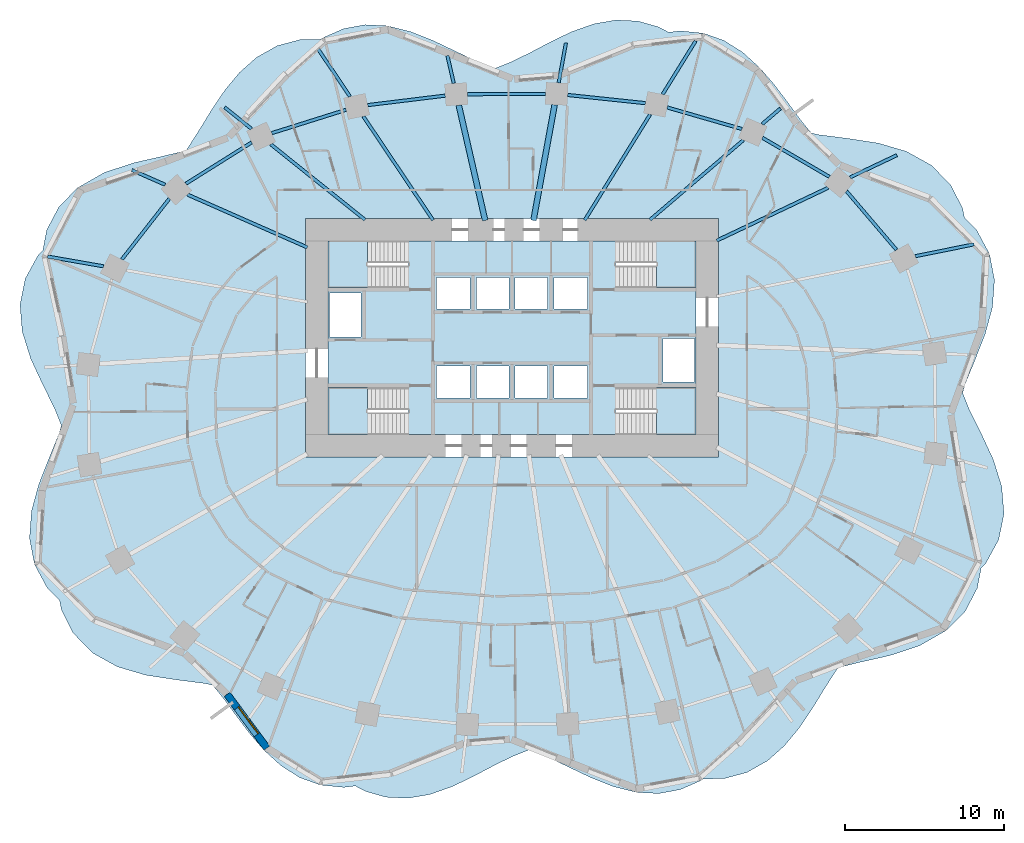
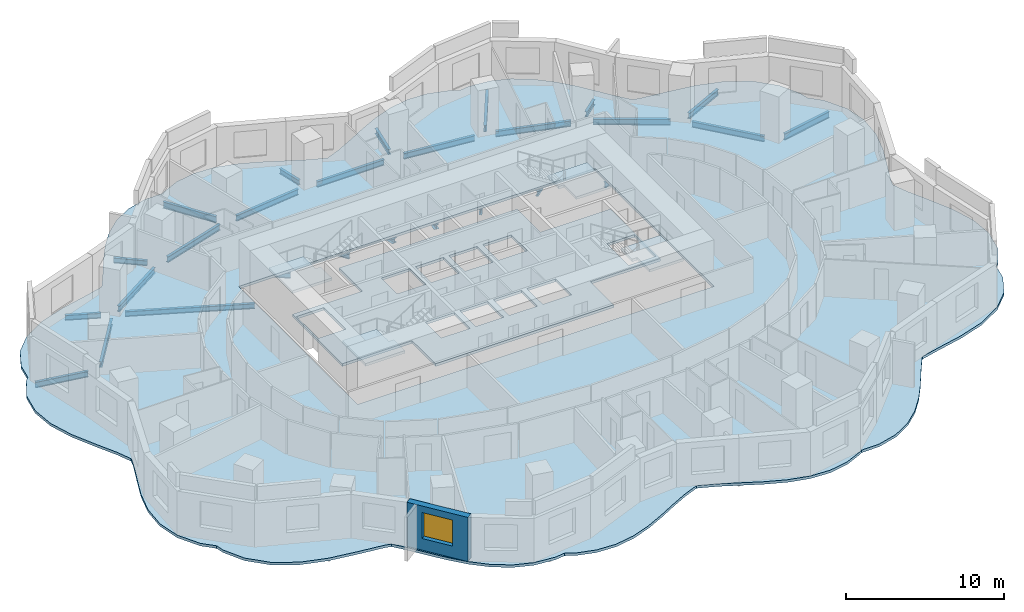
# One storey, part 2 of 11: 27 beams, 6 slabs, 1 wall, 1 window, 1 opening, 4 elements without a shape of their own.
"""IFC4 building model written with IfcOpenShell, lengths in metres."""

from ifc_helpers import new_model, si_unit, direction, frame, frame_2d, origin, origin_2d, place, context, subcontext, project, spatial, polyline, rectangle, i_section, outline, extrude, material, layer, layer_set, material_profile, profile_set, type_object, element, fill, aggregate, save


model = new_model("IFC4")

# Units and contexts
model_context = context("Model", 3, precision=1e-05, world=origin(), true_north=direction((0.0, 1.0)))
body_context = subcontext(model_context, "Body", "Model", "MODEL_VIEW")
ifc_project = project(units=[si_unit("LENGTHUNIT", "METRE"), si_unit("AREAUNIT", "SQUARE_METRE"), si_unit("VOLUMEUNIT", "CUBIC_METRE"), si_unit("PLANEANGLEUNIT", "RADIAN"), si_unit("MASSUNIT", "GRAM", prefix="KILO")], contexts=[model_context])

# Site, building, storey
site_placement = place(None, origin())
site = spatial("IfcSite", under=ifc_project, at=site_placement, CompositionType="ELEMENT")
building_placement = place(site_placement, origin())
building = spatial("IfcBuilding", under=site, at=building_placement, Name="Rubra Terraces Tower", CompositionType="ELEMENT")
storey_placement = place(building_placement, frame((0.0, 0.0, 69.89990234375)))
storey = spatial("IfcBuildingStorey", under=building, at=storey_placement, Name="L15", CompositionType="ELEMENT", Elevation=69.89990234375)

# Beams
ifc_material_1 = material(Name="Steel Q355B", Category="steel")
ifc_material_profile_1 = material_profile(ifc_material_1, i_section(OverallWidth=0.199951171875, OverallDepth=0.39990234375, WebThickness=0.008056640625, FlangeThickness=0.012939453125, at=origin_2d()), Name="HN 400x200x8x13")
ifc_profile_set_1 = profile_set([ifc_material_profile_1], Name="Steel Q355B")
beam_type_1 = type_object("IfcBeamType", Name="CANTILEVER BEAM HN 400x200x8x13", PredefinedType="BEAM", material=ifc_profile_set_1)
beam_1_placement = place(storey_placement, frame((15.7509765625, 17.947998046875, -0.39990234375), z_axis=(0.760484850261, 0.649355674899, 0.0), x_axis=(-0.649355674899, 0.760484850261, 0.0)))
element("IfcBeam", 1, at=beam_1_placement, inside=storey, type_object=beam_type_1, Name="beam-L15-cant-04", PredefinedType="BEAM", context=body_context, shape_type="SweptSolid", body=[
    extrude(i_section(OverallWidth=0.199951171875, OverallDepth=0.39990234375, WebThickness=0.008056640625, FlangeThickness=0.012939453125, at=origin_2d()), origin(), (0.0, 0.0, 1.0), 1.513671875),
])
beam_2_placement = place(storey_placement, frame((2.93798828125, 20.549072265625, -0.39990234375), z_axis=(0.180303125533, 0.983611093331, 0.0), x_axis=(-0.983611093331, 0.180303125533, 0.0)))
element("IfcBeam", 2, at=beam_2_placement, inside=storey, type_object=beam_type_1, Name="beam-L15-cant-06", PredefinedType="BEAM", context=body_context, shape_type="SweptSolid", body=[
    extrude(i_section(OverallWidth=0.199951171875, OverallDepth=0.39990234375, WebThickness=0.008056640625, FlangeThickness=0.012939453125, at=origin_2d()), origin(), (0.0, 0.0, 1.0), 2.545654296875),
])
beam_3_placement = place(storey_placement, frame((-3.6669921875, 20.514892578125, -0.39990234375), z_axis=(-0.223203108367, 0.974771959186, 0.0), x_axis=(-0.974771959186, -0.223203108367, 0.0)))
element("IfcBeam", 3, at=beam_3_placement, inside=storey, type_object=beam_type_1, Name="beam-L15-cant-07", PredefinedType="BEAM", context=body_context, shape_type="SweptSolid", body=[
    extrude(i_section(OverallWidth=0.199951171875, OverallDepth=0.39990234375, WebThickness=0.008056640625, FlangeThickness=0.012939453125, at=origin_2d()), origin(), (0.0, 0.0, 1.0), 1.787353515625),
])
beam_4_placement = place(storey_placement, frame((-16.408935546875, 17.654052734375, -0.39990234375), z_axis=(-0.780327416177, 0.625371188625, 0.0), x_axis=(-0.625371188625, -0.780327416177, 0.0)))
element("IfcBeam", 4, at=beam_4_placement, inside=storey, type_object=beam_type_1, Name="beam-L15-cant-09", PredefinedType="BEAM", context=body_context, shape_type="SweptSolid", body=[
    extrude(i_section(OverallWidth=0.199951171875, OverallDepth=0.39990234375, WebThickness=0.008056640625, FlangeThickness=0.012939453125, at=origin_2d()), origin(), (0.0, 0.0, 1.0), 2.156982421875),
])
beam_5_placement = place(storey_placement, frame((-21.8369140625, 14.1259765625, -0.39990234375), z_axis=(-0.914895766245, 0.403690149629, 0.0), x_axis=(-0.403690149629, -0.914895766245, 0.0)))
element("IfcBeam", 5, at=beam_5_placement, inside=storey, type_object=beam_type_1, Name="beam-L15-cant-10", PredefinedType="BEAM", context=body_context, shape_type="SweptSolid", body=[
    extrude(i_section(OverallWidth=0.199951171875, OverallDepth=0.39990234375, WebThickness=0.008056640625, FlangeThickness=0.012939453125, at=origin_2d()), origin(), (0.0, 0.0, 1.0), 2.28662109375),
])
ifc_material_profile_2 = material_profile(ifc_material_1, i_section(OverallWidth=0.198974609375, OverallDepth=0.446044921875, WebThickness=0.008056640625, FlangeThickness=0.011962890625, at=origin_2d()), Name="HN 446x199x8x12")
ifc_profile_set_2 = profile_set([ifc_material_profile_2], Name="Steel Q355B")
beam_type_2 = type_object("IfcBeamType", Name="CANTILEVER BEAM HN 446x199x8x12", PredefinedType="BEAM", material=ifc_profile_set_2)
beam_6_placement = place(storey_placement, frame((21.2958984375, 14.595947265625, -0.4228515625), z_axis=(0.903635481557, 0.428302365708, 0.0), x_axis=(-0.428302365708, 0.903635481557, 0.0)))
element("IfcBeam", 6, at=beam_6_placement, inside=storey, type_object=beam_type_2, Name="beam-L15-cant-03", PredefinedType="BEAM", context=body_context, shape_type="SweptSolid", body=[
    extrude(i_section(OverallWidth=0.198974609375, OverallDepth=0.446044921875, WebThickness=0.008056640625, FlangeThickness=0.011962890625, at=origin_2d()), origin(), (0.0, 0.0, 1.0), 3.2548828125),
])
beam_7_placement = place(storey_placement, frame((-25.722900390625, 8.991943359375, -0.4228515625), z_axis=(-0.98512271321, 0.171852378274, 0.0), x_axis=(-0.171852378274, -0.98512271321, 0.0)))
element("IfcBeam", 7, at=beam_7_placement, inside=storey, type_object=beam_type_2, Name="beam-L15-cant-11", PredefinedType="BEAM", context=body_context, shape_type="SweptSolid", body=[
    extrude(i_section(OverallWidth=0.198974609375, OverallDepth=0.446044921875, WebThickness=0.008056640625, FlangeThickness=0.011962890625, at=origin_2d()), origin(), (0.0, 0.0, 1.0), 3.567138671875),
])
ifc_material_profile_3 = material_profile(ifc_material_1, i_section(OverallWidth=0.198974609375, OverallDepth=0.49609375, WebThickness=0.009033203125, FlangeThickness=0.013916015625, at=origin_2d()), Name="HN 496x199x9x14")
ifc_profile_set_3 = profile_set([ifc_material_profile_3], Name="Steel Q355B")
beam_type_3 = type_object("IfcBeamType", Name="CANTILEVER BEAM HN 496x199x9x14", PredefinedType="BEAM", material=ifc_profile_set_3)
beam_8_placement = place(storey_placement, frame((25.39599609375, 9.6279296875, -0.447998046875), z_axis=(0.980177704415, 0.198120336582, 0.0), x_axis=(-0.198120336582, 0.980177704415, 0.0)))
element("IfcBeam", 8, at=beam_8_placement, inside=storey, type_object=beam_type_3, Name="beam-L15-cant-02", PredefinedType="BEAM", context=body_context, shape_type="SweptSolid", body=[
    extrude(i_section(OverallWidth=0.198974609375, OverallDepth=0.49609375, WebThickness=0.009033203125, FlangeThickness=0.013916015625, at=origin_2d()), origin(), (0.0, 0.0, 1.0), 3.770751953125),
])
beam_9_placement = place(storey_placement, frame((9.488037109375, 19.827880859375, -0.447998046875), z_axis=(0.526262905652, 0.850321912063, 0.0), x_axis=(-0.850321912063, 0.526262905652, 0.0)))
element("IfcBeam", 9, at=beam_9_placement, inside=storey, type_object=beam_type_3, Name="beam-L15-cant-05", PredefinedType="BEAM", context=body_context, shape_type="SweptSolid", body=[
    extrude(i_section(OverallWidth=0.198974609375, OverallDepth=0.49609375, WebThickness=0.009033203125, FlangeThickness=0.013916015625, at=origin_2d()), origin(), (0.0, 0.0, 1.0), 3.94091796875),
])
beam_10_placement = place(storey_placement, frame((-10.199951171875, 19.68310546875, -0.447998046875), z_axis=(-0.557568984544, 0.830130608684, 0.0), x_axis=(-0.830130608684, -0.557568984544, 0.0)))
element("IfcBeam", 10, at=beam_10_placement, inside=storey, type_object=beam_type_3, Name="beam-L15-cant-08", PredefinedType="BEAM", context=body_context, shape_type="SweptSolid", body=[
    extrude(i_section(OverallWidth=0.198974609375, OverallDepth=0.49609375, WebThickness=0.009033203125, FlangeThickness=0.013916015625, at=origin_2d()), origin(), (0.0, 0.0, 1.0), 3.72705078125),
])
ifc_material_profile_4 = material_profile(ifc_material_1, i_section(OverallWidth=0.199951171875, OverallDepth=0.39990234375, WebThickness=0.008056640625, FlangeThickness=0.012939453125, at=origin_2d()), Name="HN 400x200x8x13")
ifc_profile_set_4 = profile_set([ifc_material_profile_4], Name="Steel Q355B")
beam_type_4 = type_object("IfcBeamType", Name="FLOOR BEAM HN 400x200x8x13", PredefinedType="BEAM", material=ifc_profile_set_4)
beam_11_placement = place(storey_placement, frame((19.904052734375, 13.93603515625, -0.39990234375), z_axis=(-0.903612237836, -0.428351402045, 0.0), x_axis=(0.428351402045, -0.903612237836, 0.0)))
element("IfcBeam", 11, at=beam_11_placement, inside=storey, type_object=beam_type_4, Name="beam-L15-floor-03", PredefinedType="BEAM", context=body_context, shape_type="SweptSolid", body=[
    extrude(i_section(OverallWidth=0.199951171875, OverallDepth=0.39990234375, WebThickness=0.008056640625, FlangeThickness=0.012939453125, at=origin_2d()), origin(), (0.0, 0.0, 1.0), 7.760009765625),
])
beam_12_placement = place(storey_placement, frame((14.56298828125, 16.93408203125, -0.39990234375), z_axis=(-0.760494401061, -0.649344489431, 0.0), x_axis=(0.649344489431, -0.760494401061, 0.0)))
element("IfcBeam", 12, at=beam_12_placement, inside=storey, type_object=beam_type_4, Name="beam-L15-floor-04", PredefinedType="BEAM", context=body_context, shape_type="SweptSolid", body=[
    extrude(i_section(OverallWidth=0.199951171875, OverallDepth=0.39990234375, WebThickness=0.008056640625, FlangeThickness=0.012939453125, at=origin_2d()), origin(), (0.0, 0.0, 1.0), 7.718505859375),
])
beam_13_placement = place(storey_placement, frame((8.699951171875, 18.555908203125, -0.39990234375), z_axis=(-0.526285914839, -0.850307671283, 0.0), x_axis=(0.850307671283, -0.526285914839, 0.0)))
element("IfcBeam", 13, at=beam_13_placement, inside=storey, type_object=beam_type_4, Name="beam-L15-floor-05", PredefinedType="BEAM", context=body_context, shape_type="SweptSolid", body=[
    extrude(i_section(OverallWidth=0.199951171875, OverallDepth=0.39990234375, WebThickness=0.008056640625, FlangeThickness=0.012939453125, at=origin_2d()), origin(), (0.0, 0.0, 1.0), 7.830078125),
])
beam_14_placement = place(storey_placement, frame((-9.360107421875, 18.43310546875, -0.39990234375), z_axis=(0.557574689395, -0.830126776912, 0.0), x_axis=(0.830126776912, 0.557574689395, 0.0)))
element("IfcBeam", 14, at=beam_14_placement, inside=storey, type_object=beam_type_4, Name="beam-L15-floor-08", PredefinedType="BEAM", context=body_context, shape_type="SweptSolid", body=[
    extrude(i_section(OverallWidth=0.199951171875, OverallDepth=0.39990234375, WebThickness=0.008056640625, FlangeThickness=0.012939453125, at=origin_2d()), origin(), (0.0, 0.0, 1.0), 7.8701171875),
])
beam_15_placement = place(storey_placement, frame((-15.18896484375, 16.676025390625, -0.39990234375), z_axis=(0.780266406942, -0.625447307291, 0.0), x_axis=(0.625447307291, 0.780266406942, 0.0)))
element("IfcBeam", 15, at=beam_15_placement, inside=storey, type_object=beam_type_4, Name="beam-L15-floor-09", PredefinedType="BEAM", context=body_context, shape_type="SweptSolid", body=[
    extrude(i_section(OverallWidth=0.199951171875, OverallDepth=0.39990234375, WebThickness=0.008056640625, FlangeThickness=0.012939453125, at=origin_2d()), origin(), (0.0, 0.0, 1.0), 7.59619140625),
])
beam_16_placement = place(storey_placement, frame((-20.43310546875, 13.508056640625, -0.39990234375), z_axis=(0.914994662209, -0.4034659442, 0.0), x_axis=(0.4034659442, 0.914994662209, 0.0)))
element("IfcBeam", 16, at=beam_16_placement, inside=storey, type_object=beam_type_4, Name="beam-L15-floor-10", PredefinedType="BEAM", context=body_context, shape_type="SweptSolid", body=[
    extrude(i_section(OverallWidth=0.199951171875, OverallDepth=0.39990234375, WebThickness=0.008056640625, FlangeThickness=0.012939453125, at=origin_2d()), origin(), (0.0, 0.0, 1.0), 8.243896484375),
])
ifc_material_profile_5 = material_profile(ifc_material_1, i_section(OverallWidth=0.35009765625, OverallDepth=0.35009765625, WebThickness=0.011962890625, FlangeThickness=0.01904296875, at=origin_2d()), Name="HW 350x350x12x19")
ifc_profile_set_5 = profile_set([ifc_material_profile_5], Name="Steel Q355B")
beam_type_5 = type_object("IfcBeamType", Name="FLOOR BEAM HW 350x350x12x19", PredefinedType="BEAM", material=ifc_profile_set_5)
beam_17_placement = place(storey_placement, frame((2.68408203125, 19.158935546875, -0.375), z_axis=(-0.180186319425, -0.983632497578, 0.0), x_axis=(0.983632497578, -0.180186319425, 0.0)))
element("IfcBeam", 17, at=beam_17_placement, inside=storey, type_object=beam_type_5, Name="beam-L15-floor-06", PredefinedType="BEAM", context=body_context, shape_type="SweptSolid", body=[
    extrude(i_section(OverallWidth=0.35009765625, OverallDepth=0.35009765625, WebThickness=0.011962890625, FlangeThickness=0.01904296875, at=origin_2d()), origin(), (0.0, 0.0, 1.0), 7.39794921875),
])
beam_18_placement = place(storey_placement, frame((-3.35107421875, 19.133056640625, -0.375), z_axis=(0.223209821828, -0.974770421914, 0.0), x_axis=(0.974770421914, 0.223209821828, 0.0)))
element("IfcBeam", 18, at=beam_18_placement, inside=storey, type_object=beam_type_5, Name="beam-L15-floor-07", PredefinedType="BEAM", context=body_context, shape_type="SweptSolid", body=[
    extrude(i_section(OverallWidth=0.35009765625, OverallDepth=0.35009765625, WebThickness=0.011962890625, FlangeThickness=0.01904296875, at=origin_2d()), origin(), (0.0, 0.0, 1.0), 7.437744140625),
])
ifc_material_profile_6 = material_profile(ifc_material_1, i_section(OverallWidth=0.198974609375, OverallDepth=0.446044921875, WebThickness=0.008056640625, FlangeThickness=0.011962890625, at=origin_2d()), Name="HN 446x199x8x12")
ifc_profile_set_6 = profile_set([ifc_material_profile_6], Name="Steel Q355B")
beam_type_6 = type_object("IfcBeamType", Name="SPANDREL BEAM HN 446x199x8x12", PredefinedType="SPANDREL", material=ifc_profile_set_6)
beam_19_placement = place(storey_placement, frame((24.212890625, 10.02587890625, -0.4228515625), z_axis=(-0.648447050824, 0.761259760054, 0.0), x_axis=(-0.761259760054, -0.648447050824, 0.0)))
element("IfcBeam", 19, at=beam_19_placement, inside=storey, type_object=beam_type_6, Name="beam-L15-spandrel-02", PredefinedType="SPANDREL", context=body_context, shape_type="SweptSolid", body=[
    extrude(i_section(OverallWidth=0.198974609375, OverallDepth=0.446044921875, WebThickness=0.008056640625, FlangeThickness=0.011962890625, at=origin_2d()), origin(), (0.0, 0.0, 1.0), 4.860595703125),
])
beam_20_placement = place(storey_placement, frame((19.987060546875, 14.6240234375, -0.4228515625), z_axis=(-0.863806081452, 0.503824427402, 0.0), x_axis=(-0.503824427402, -0.863806081452, 0.0)))
element("IfcBeam", 20, at=beam_20_placement, inside=storey, type_object=beam_type_6, Name="beam-L15-spandrel-03", PredefinedType="SPANDREL", context=body_context, shape_type="SweptSolid", body=[
    extrude(i_section(OverallWidth=0.198974609375, OverallDepth=0.446044921875, WebThickness=0.008056640625, FlangeThickness=0.011962890625, at=origin_2d()), origin(), (0.0, 0.0, 1.0), 4.886474609375),
])
beam_21_placement = place(storey_placement, frame((14.47900390625, 17.636962890625, -0.4228515625), z_axis=(-0.960743980202, 0.277436487337, 0.0), x_axis=(-0.277436487337, -0.960743980202, 0.0)))
element("IfcBeam", 21, at=beam_21_placement, inside=storey, type_object=beam_type_6, Name="beam-L15-spandrel-04", PredefinedType="SPANDREL", context=body_context, shape_type="SweptSolid", body=[
    extrude(i_section(OverallWidth=0.198974609375, OverallDepth=0.446044921875, WebThickness=0.008056640625, FlangeThickness=0.011962890625, at=origin_2d()), origin(), (0.0, 0.0, 1.0), 4.90234375),
])
beam_22_placement = place(storey_placement, frame((8.39501953125, 19.26611328125, -0.4228515625), z_axis=(-0.994495375694, 0.104780473964, 0.0), x_axis=(-0.104780473964, -0.994495375694, 0.0)))
element("IfcBeam", 22, at=beam_22_placement, inside=storey, type_object=beam_type_6, Name="beam-L15-spandrel-05", PredefinedType="SPANDREL", context=body_context, shape_type="SweptSolid", body=[
    extrude(i_section(OverallWidth=0.198974609375, OverallDepth=0.446044921875, WebThickness=0.008056640625, FlangeThickness=0.011962890625, at=origin_2d()), origin(), (0.0, 0.0, 1.0), 4.9140625),
])
beam_23_placement = place(storey_placement, frame((2.110107421875, 19.85107421875, -0.4228515625), z_axis=(-0.999987924698, -0.004914311469, 0.0), x_axis=(0.004914311469, -0.999987924698, 0.0)))
element("IfcBeam", 23, at=beam_23_placement, inside=storey, type_object=beam_type_6, Name="beam-L15-spandrel-06", PredefinedType="SPANDREL", context=body_context, shape_type="SweptSolid", body=[
    extrude(i_section(OverallWidth=0.198974609375, OverallDepth=0.446044921875, WebThickness=0.008056640625, FlangeThickness=0.011962890625, at=origin_2d()), origin(), (0.0, 0.0, 1.0), 4.918212890625),
])
beam_24_placement = place(storey_placement, frame((-4.205078125, 19.739013671875, -0.4228515625), z_axis=(-0.992616576014, -0.12129440639, 0.0), x_axis=(0.12129440639, -0.992616576014, 0.0)))
element("IfcBeam", 24, at=beam_24_placement, inside=storey, type_object=beam_type_6, Name="beam-L15-spandrel-07", PredefinedType="SPANDREL", context=body_context, shape_type="SweptSolid", body=[
    extrude(i_section(OverallWidth=0.198974609375, OverallDepth=0.446044921875, WebThickness=0.008056640625, FlangeThickness=0.011962890625, at=origin_2d()), origin(), (0.0, 0.0, 1.0), 4.913330078125),
])
beam_25_placement = place(storey_placement, frame((-10.450927734375, 18.846923828125, -0.4228515625), z_axis=(-0.953954624663, -0.299950952796, 0.0), x_axis=(0.299950952796, -0.953954624663, 0.0)))
element("IfcBeam", 25, at=beam_25_placement, inside=storey, type_object=beam_type_6, Name="beam-L15-spandrel-08", PredefinedType="SPANDREL", context=body_context, shape_type="SweptSolid", body=[
    extrude(i_section(OverallWidth=0.198974609375, OverallDepth=0.446044921875, WebThickness=0.008056640625, FlangeThickness=0.011962890625, at=origin_2d()), origin(), (0.0, 0.0, 1.0), 4.900634765625),
])
beam_26_placement = place(storey_placement, frame((-16.39697265625, 16.7900390625, -0.4228515625), z_axis=(-0.847078460197, -0.531467856291, 0.0), x_axis=(0.531467856291, -0.847078460197, 0.0)))
element("IfcBeam", 26, at=beam_26_placement, inside=storey, type_object=beam_type_6, Name="beam-L15-spandrel-09", PredefinedType="SPANDREL", context=body_context, shape_type="SweptSolid", body=[
    extrude(i_section(OverallWidth=0.198974609375, OverallDepth=0.446044921875, WebThickness=0.008056640625, FlangeThickness=0.011962890625, at=origin_2d()), origin(), (0.0, 0.0, 1.0), 4.882568359375),
])
beam_27_placement = place(storey_placement, frame((-21.572998046875, 13.257080078125, -0.4228515625), z_axis=(-0.615577734286, -0.788076172112, 0.0), x_axis=(0.788076172112, -0.615577734286, 0.0)))
element("IfcBeam", 27, at=beam_27_placement, inside=storey, type_object=beam_type_6, Name="beam-L15-spandrel-10", PredefinedType="SPANDREL", context=body_context, shape_type="SweptSolid", body=[
    extrude(i_section(OverallWidth=0.198974609375, OverallDepth=0.446044921875, WebThickness=0.008056640625, FlangeThickness=0.011962890625, at=origin_2d()), origin(), (0.0, 0.0, 1.0), 4.85888671875),
])

# Slab
ifc_material_2 = material(Name="Concrete C40", Category="concrete")
ifc_layer_1 = layer(ifc_material_2, 0.199951171875)
ifc_layer_set_1 = layer_set([ifc_layer_1], Name="Concrete C40")
slab_type_1 = type_object("IfcSlabType", Name="Core floor slab 200 concrete", PredefinedType="FLOOR", material=ifc_layer_set_1)
slab_1_placement = place(storey_placement, frame((0.0, 0.0, -0.199951171875)))
element("IfcSlab", 28, at=slab_1_placement, inside=storey, type_object=slab_type_1, Name="CORE FLOOR SLAB L15", PredefinedType="FLOOR", context=body_context, shape_type="SweptSolid", body=[
    extrude(outline(polyline([(-11.60009765625, 1.347900390625), (-11.60009765625, 7.652099609375), (-6.501953125, 7.652099609375), (-6.501953125, 10.60009765625), (6.501953125, 10.60009765625), (6.501953125, 7.652099609375), (11.60009765625, 7.652099609375), (11.60009765625, 1.347900390625), (6.501953125, 1.347900390625), (6.501953125, -1.60009765625), (-6.501953125, -1.60009765625), (-6.501953125, 1.347900390625), (-11.60009765625, 1.347900390625)]), holes=[polyline([(9.5, 1.699951171875), (11.5, 1.699951171875), (11.5, 4.449951171875), (9.5, 4.449951171875), (9.5, 1.699951171875)]), polyline([(4.75, 0.699951171875), (4.75, 2.699951171875), (2.64990234375, 2.699951171875), (2.64990234375, 0.699951171875), (4.75, 0.699951171875)]), polyline([(4.75, 6.300048828125), (4.75, 8.300048828125), (2.64990234375, 8.300048828125), (2.64990234375, 6.300048828125), (4.75, 6.300048828125)]), polyline([(2.25, 0.699951171875), (2.25, 2.699951171875), (0.199951171875, 2.699951171875), (0.199951171875, 0.699951171875), (2.25, 0.699951171875)]), polyline([(2.25, 6.300048828125), (2.25, 8.300048828125), (0.199951171875, 8.300048828125), (0.199951171875, 6.300048828125), (2.25, 6.300048828125)]), polyline([(-0.199951171875, 0.699951171875), (-0.199951171875, 2.699951171875), (-2.25, 2.699951171875), (-2.25, 0.699951171875), (-0.199951171875, 0.699951171875)]), polyline([(-0.199951171875, 6.300048828125), (-0.199951171875, 8.300048828125), (-2.25, 8.300048828125), (-2.25, 6.300048828125), (-0.199951171875, 6.300048828125)]), polyline([(-2.64990234375, 0.699951171875), (-2.64990234375, 2.699951171875), (-4.75, 2.699951171875), (-4.75, 0.699951171875), (-2.64990234375, 0.699951171875)]), polyline([(-2.64990234375, 8.300048828125), (-4.75, 8.300048828125), (-4.75, 6.300048828125), (-2.64990234375, 6.300048828125), (-2.64990234375, 8.300048828125)]), polyline([(-9.5, 7.300048828125), (-11.5, 7.300048828125), (-11.5, 4.550048828125), (-9.5, 4.550048828125), (-9.5, 7.300048828125)])]), origin(), (0.0, 0.0, 1.0), 0.199951171875),
])

# Stair, slab
stair_type = type_object("IfcStairType", Name="Core stair 1400", PredefinedType="HALF_TURN_STAIR", material=ifc_material_2)
stair_1_placement = place(storey_placement, origin())
stair_1 = element("IfcStair", 29, at=stair_1_placement, inside=storey, type_object=stair_type, Name="L15 Exit stair S1", PredefinedType="HALF_TURN_STAIR")
ifc_layer_2 = layer(ifc_material_2, 0.199951171875)
ifc_layer_set_2 = layer_set([ifc_layer_2], Name="Concrete C40")
slab_type_2 = type_object("IfcSlabType", Name="Core stair landing 200", PredefinedType="LANDING", material=ifc_layer_set_2)
slab_2_placement = place(storey_placement, frame((0.0, 0.0, 1.60009765625)))
slab_2 = element("IfcSlab", 30, at=slab_2_placement, type_object=slab_type_2, Name="S1 landing 1", PredefinedType="LANDING", context=body_context, shape_type="SweptSolid", body=[
    extrude(outline(polyline([(-8.719970703125, -0.199951171875), (-8.719970703125, -1.60009765625), (-9.10009765625, -1.60009765625), (-9.1201171875, -1.60009765625), (-11.60009765625, -1.60009765625), (-11.60009765625, 1.35009765625), (-9.1201171875, 1.35009765625), (-9.097900390625, 1.35009765625), (-9.097900390625, -0.050048828125), (-9.10009765625, -0.050048828125), (-9.10009765625, -0.199951171875), (-8.719970703125, -0.199951171875)])), origin(), (0.0, 0.0, 1.0), 0.199951171875),
])
aggregate(stair_1, [slab_2])

stair_2_placement = place(storey_placement, origin())
stair_2 = element("IfcStair", 31, at=stair_2_placement, inside=storey, type_object=stair_type, Name="L15 Exit stair S2", PredefinedType="HALF_TURN_STAIR")
slab_3_placement = place(storey_placement, frame((0.0, 0.0, 1.60009765625)))
slab_3 = element("IfcSlab", 32, at=slab_3_placement, type_object=slab_type_2, Name="S2 landing 1", PredefinedType="LANDING", context=body_context, shape_type="SweptSolid", body=[
    extrude(outline(polyline([(-8.719970703125, 9.050048828125), (-8.719970703125, 7.64990234375), (-9.1201171875, 7.64990234375), (-11.60009765625, 7.64990234375), (-11.60009765625, 10.60009765625), (-9.1201171875, 10.60009765625), (-9.10009765625, 10.60009765625), (-9.097900390625, 10.60009765625), (-9.097900390625, 9.199951171875), (-9.10009765625, 9.199951171875), (-9.10009765625, 9.050048828125), (-8.719970703125, 9.050048828125)])), origin(), (0.0, 0.0, 1.0), 0.199951171875),
])
aggregate(stair_2, [slab_3])

stair_3_placement = place(storey_placement, origin())
stair_3 = element("IfcStair", 33, at=stair_3_placement, inside=storey, type_object=stair_type, Name="L15 Exit stair S3", PredefinedType="HALF_TURN_STAIR")
slab_4_placement = place(storey_placement, frame((0.0, 0.0, 1.60009765625)))
slab_4 = element("IfcSlab", 34, at=slab_4_placement, type_object=slab_type_2, Name="S3 landing 1", PredefinedType="LANDING", context=body_context, shape_type="SweptSolid", body=[
    extrude(outline(polyline([(9.10009765625, 9.050048828125), (9.10009765625, 9.199951171875), (8.719970703125, 9.199951171875), (8.719970703125, 10.60009765625), (9.10009765625, 10.60009765625), (9.1201171875, 10.60009765625), (11.60009765625, 10.60009765625), (11.60009765625, 7.64990234375), (9.1201171875, 7.64990234375), (9.097900390625, 7.64990234375), (9.097900390625, 9.050048828125), (9.10009765625, 9.050048828125)])), origin(), (0.0, 0.0, 1.0), 0.199951171875),
])
aggregate(stair_3, [slab_4])

stair_4_placement = place(storey_placement, origin())
stair_4 = element("IfcStair", 35, at=stair_4_placement, inside=storey, type_object=stair_type, Name="L15 Exit stair S4", PredefinedType="HALF_TURN_STAIR")
slab_5_placement = place(storey_placement, frame((0.0, 0.0, 1.60009765625)))
slab_5 = element("IfcSlab", 36, at=slab_5_placement, type_object=slab_type_2, Name="S4 landing 1", PredefinedType="LANDING", context=body_context, shape_type="SweptSolid", body=[
    extrude(outline(polyline([(9.10009765625, -0.199951171875), (9.10009765625, -0.050048828125), (8.719970703125, -0.050048828125), (8.719970703125, 1.35009765625), (9.10009765625, 1.35009765625), (9.1201171875, 1.35009765625), (11.60009765625, 1.35009765625), (11.60009765625, -1.60009765625), (9.1201171875, -1.60009765625), (9.10009765625, -1.60009765625), (9.097900390625, -1.60009765625), (9.097900390625, -0.199951171875), (9.10009765625, -0.199951171875)])), origin(), (0.0, 0.0, 1.0), 0.199951171875),
])
aggregate(stair_4, [slab_5])

# Slab
ifc_layer_3 = layer(ifc_material_2, 0.199951171875)
ifc_layer_set_3 = layer_set([ifc_layer_3], Name="Concrete C40")
slab_type_3 = type_object("IfcSlabType", Name="FLOOR SLAB 200 COMPOSITE", PredefinedType="FLOOR", material=ifc_layer_set_3)
slab_6_placement = place(storey_placement, frame((0.0, 0.0, -0.199951171875)))
element("IfcSlab", 37, at=slab_6_placement, inside=storey, type_object=slab_type_3, Name="FLOOR SLAB L15", PredefinedType="FLOOR", context=body_context, shape_type="SweptSolid", body=[
    extrude(outline(polyline([(-3.763916015625, -23.76708984375), (-2.487060546875, -23.156982421875), (-1.235107421875, -22.4970703125), (0.0, -21.883056640625), (1.048095703125, -21.465087890625), (1.178955078125, -21.4990234375), (2.364013671875, -21.970947265625), (3.570068359375, -22.5419921875), (4.967041015625, -23.20703125), (6.39599609375, -23.77490234375), (7.842041015625, -24.135986328125), (9.25, -24.2060546875), (10.616943359375, -23.952880859375), (11.9130859375, -23.3798828125), (12.050048828125, -23.284912109375), (13.365966796875, -23.261962890625), (14.7890625, -22.881103515625), (16.090087890625, -22.14599609375), (17.14599609375, -21.2109375), (18.073974609375, -20.095947265625), (18.889892578125, -18.889892578125), (19.669921875, -17.614990234375), (20.423095703125, -16.43505859375), (20.5390625, -16.284912109375), (20.35009765625, -16.33203125), (21.93505859375, -15.93701171875), (23.787109375, -15.51806640625), (25.658935546875, -14.903076171875), (27.35205078125, -13.93603515625), (28.528076171875, -12.748046875), (29.297119140625, -11.279052734375), (29.5458984375, -9.993896484375), (29.841064453125, -9.696044921875), (30.64990234375, -8.218994140625), (30.97998046875, -6.58203125), (30.841064453125, -4.885009765625), (30.30810546875, -3.175048828125), (29.552978515625, -1.550048828125), (28.782958984375, 0.0), (28.37890625, 1.02490234375), (28.514892578125, 1.511962890625), (29.14208984375, 3.06689453125), (29.79296875, 4.718994140625), (30.2548828125, 6.406005859375), (30.383056640625, 8.1220703125), (30.070068359375, 9.77001953125), (29.2490234375, 11.2939453125), (28.493896484375, 12.0380859375), (28.3720703125, 12.64111328125), (27.64599609375, 14.0859375), (26.4150390625, 15.35400390625), (24.833984375, 16.23095703125), (23.056884765625, 16.751953125), (21.12109375, 17.048095703125), (19.299072265625, 17.281982421875), (18.844970703125, 17.388916015625), (18.18896484375, 18.18896484375), (17.389892578125, 19.279052734375), (16.541015625, 20.406005859375), (15.610107421875, 21.485107421875), (14.533935546875, 22.464111328125), (13.345947265625, 23.2119140625), (12.06103515625, 23.6708984375), (10.575927734375, 23.819091796875), (9.873046875, 23.72705078125), (9.197998046875, 24.075927734375), (7.93896484375, 24.43408203125), (6.554931640625, 24.501953125), (5.155029296875, 24.260986328125), (3.763916015625, 23.76708984375), (2.487060546875, 23.156982421875), (1.235107421875, 22.4970703125), (0.0, 21.883056640625), (-1.048095703125, 21.465087890625), (-1.178955078125, 21.4990234375), (-2.364013671875, 21.970947265625), (-3.570068359375, 22.5419921875), (-4.967041015625, 23.20703125), (-6.39599609375, 23.77490234375), (-7.842041015625, 24.135986328125), (-9.25, 24.2060546875), (-10.616943359375, 23.952880859375), (-11.9130859375, 23.3798828125), (-12.050048828125, 23.284912109375), (-13.365966796875, 23.261962890625), (-14.7890625, 22.881103515625), (-16.090087890625, 22.14599609375), (-17.14599609375, 21.2109375), (-18.073974609375, 20.095947265625), (-18.889892578125, 18.889892578125), (-19.669921875, 17.614990234375), (-20.423095703125, 16.43505859375), (-20.5390625, 16.284912109375), (-20.35009765625, 16.33203125), (-21.93505859375, 15.93701171875), (-23.787109375, 15.51806640625), (-25.658935546875, 14.903076171875), (-27.35205078125, 13.93603515625), (-28.528076171875, 12.748046875), (-29.297119140625, 11.279052734375), (-29.5458984375, 9.993896484375), (-29.841064453125, 9.696044921875), (-30.64990234375, 8.218994140625), (-30.97998046875, 6.58203125), (-30.841064453125, 4.885009765625), (-30.30810546875, 3.175048828125), (-29.552978515625, 1.550048828125), (-28.782958984375, 0.0), (-28.37890625, -1.02490234375), (-28.514892578125, -1.511962890625), (-29.14208984375, -3.06689453125), (-29.79296875, -4.718994140625), (-30.2548828125, -6.406005859375), (-30.383056640625, -8.1220703125), (-30.070068359375, -9.77001953125), (-29.2490234375, -11.2939453125), (-28.493896484375, -12.0380859375), (-28.3720703125, -12.64111328125), (-27.64599609375, -14.0859375), (-26.4150390625, -15.35400390625), (-24.833984375, -16.23095703125), (-23.056884765625, -16.751953125), (-21.12109375, -17.048095703125), (-19.299072265625, -17.281982421875), (-18.844970703125, -17.388916015625), (-18.18896484375, -18.18896484375), (-17.389892578125, -19.279052734375), (-16.541015625, -20.406005859375), (-15.610107421875, -21.485107421875), (-14.533935546875, -22.464111328125), (-13.345947265625, -23.2119140625), (-12.06103515625, -23.6708984375), (-10.575927734375, -23.819091796875), (-9.873046875, -23.72705078125), (-9.197998046875, -24.075927734375), (-7.93896484375, -24.43408203125), (-6.554931640625, -24.501953125), (-5.155029296875, -24.260986328125), (-3.763916015625, -23.76708984375)]), holes=[polyline([(13.0, 12.0), (13.0, -3.0), (-13.0, -3.0), (-13.0, 12.0), (13.0, 12.0)])]), origin(), (0.0, 0.0, 1.0), 0.199951171875),
])

# Wall, opening, window
ifc_material_3 = material(Name="Brick masonry red-brown", Category="masonry")
ifc_layer_4 = layer(ifc_material_3, 0.449951171875)
ifc_layer_set_4 = layer_set([ifc_layer_4], Name="Brick masonry red-brown")
wall_type = type_object("IfcWallType", Name="Brick facade wall 450", PredefinedType="SOLIDWALL", material=ifc_layer_set_4)
wall_placement = place(storey_placement, frame((-17.933837890625, -17.964111328125, 0.0), z_axis=(0.0, 0.0, 1.0), x_axis=(0.594544447368, -0.804062746372, 0.0)))
wall = element("IfcWall", 38, at=wall_placement, inside=storey, type_object=wall_type, Name="Facade wall L15 bay 26", PredefinedType="SOLIDWALL", context=body_context, shape_type="SweptSolid", body=[
    extrude(rectangle(XDim=4.20654296875, YDim=0.449951171875, at=frame_2d((2.103271484375, 0.0))), origin(), (0.0, 0.0, 1.0), 3.400146484375),
])
opening_placement = place(wall_placement, frame((1.05322265625, 0.0, 0.89990234375)))
opening = element("IfcOpeningElement", 39, at=opening_placement, cuts=wall, Name="Opening W1", PredefinedType="OPENING", context=body_context, shape_type="SweptSolid", body=[
    extrude(rectangle(XDim=2.10009765625, YDim=2.0, at=frame_2d((1.050048828125, 1.0))), frame((0.0, 0.23486328125, 0.0), z_axis=(0.0, -1.0, 0.0), x_axis=(1.0, 0.0, 0.0)), (0.0, 0.0, 1.0), 0.469970703125),
])
ifc_material_4 = material(Name="Clear glass in aluminium frame", Category="aluminium")
window_type = type_object("IfcWindowType", Name="Fixed deep-set window 2100 x 2000", PartitioningType="SINGLE_PANEL", PredefinedType="WINDOW", material=ifc_material_4)
window_placement = place(opening_placement, origin())
window = element("IfcWindow", 40, at=window_placement, inside=storey, type_object=window_type, Name="Window L15 bay 26", OverallHeight=2.0, OverallWidth=2.10009765625, PartitioningType="SINGLE_PANEL", PredefinedType="WINDOW", context=body_context, shape_type="SweptSolid", body=[
    extrude(rectangle(XDim=2.10009765625, YDim=2.0, at=frame_2d((1.050048828125, 1.0))), frame((0.0, 0.135009765625, 0.0), z_axis=(0.0, -1.0, 0.0), x_axis=(1.0, 0.0, 0.0)), (0.0, 0.0, 1.0), 0.06005859375),
])
fill(opening, window)

save(model, "model.ifc")
